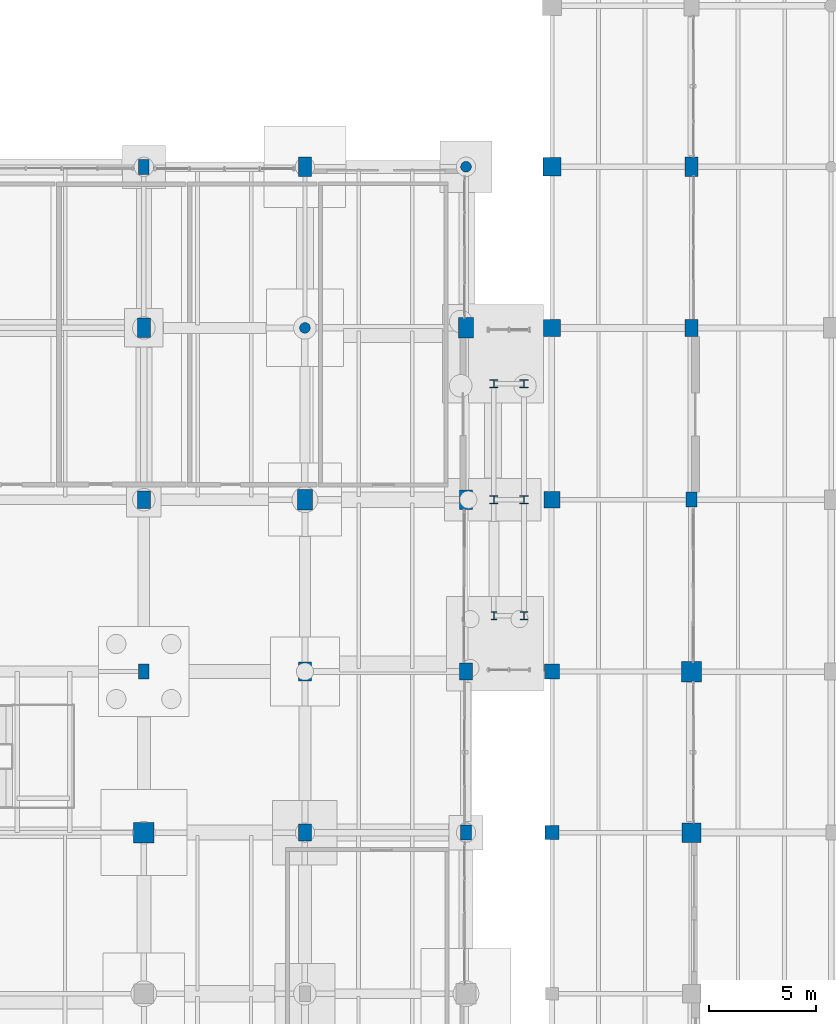
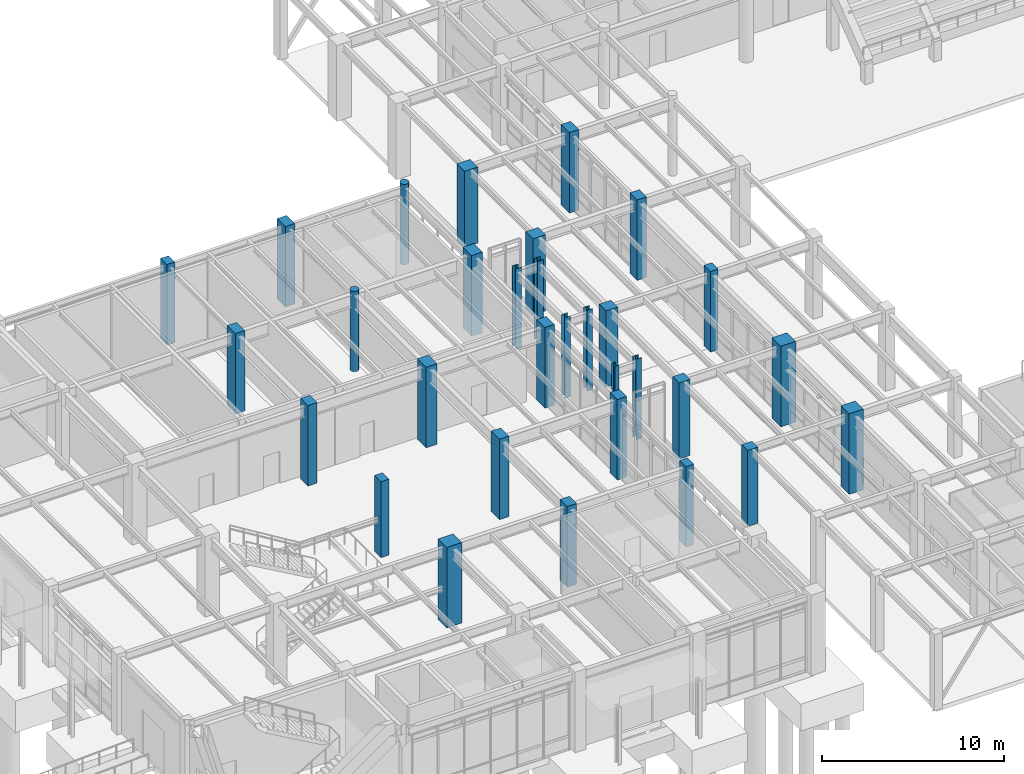
# One storey, part 10 of 203: 31 columns.
"""IFC4 building model written with IfcOpenShell, lengths in metres."""

from ifc_helpers import new_model, si_unit, direction, frame, origin, origin_2d, place, context, subcontext, project, spatial, rectangle, circle, i_section, extrude, material, material_profile, profile_set, type_object, element, save


model = new_model("IFC4")

# Units and contexts
model_context = context("Model", 3, precision=1e-05, world=origin(), true_north=direction((0.0, 1.0)))
body_context = subcontext(model_context, "Body", "Model", "MODEL_VIEW")
ifc_project = project(units=[si_unit("LENGTHUNIT", "METRE"), si_unit("AREAUNIT", "SQUARE_METRE"), si_unit("VOLUMEUNIT", "CUBIC_METRE"), si_unit("PLANEANGLEUNIT", "RADIAN"), si_unit("MASSUNIT", "GRAM", prefix="KILO"), si_unit("THERMODYNAMICTEMPERATUREUNIT", "KELVIN"), si_unit("POWERUNIT", "WATT")], contexts=[model_context])

# Site, building, storey
site_placement = place(None, origin())
site = spatial("IfcSite", under=ifc_project, at=site_placement, CompositionType="ELEMENT")
building_placement = place(site_placement, origin())
building = spatial("IfcBuilding", under=site, at=building_placement, Name="Tepalcoro Natatorium and Aquatics Centre", CompositionType="ELEMENT")
storey_placement = place(building_placement, origin())
storey = spatial("IfcBuildingStorey", under=building, at=storey_placement, Name="L00", CompositionType="ELEMENT", Elevation=0.0)

# Columns
ifc_material_1 = material(Name="Concrete C40/50 (fc 40 MPa)", Category="concrete")
ifc_material_profile_1 = material_profile(ifc_material_1, rectangle(XDim=0.5, YDim=0.699951171875, at=origin_2d()), Name="RC500x700")
ifc_profile_set_1 = profile_set([ifc_material_profile_1], Name="Concrete C40/50 (fc 40 MPa)")
column_type_1 = type_object("IfcColumnType", Name="COL_RC_500x700", PredefinedType="COLUMN", material=ifc_profile_set_1)
column_1_placement = place(storey_placement, frame((46.5, 36.0, 0.0), z_axis=(0.0, 0.0, 1.0), x_axis=(1.0, 0.0, 0.0)))
element("IfcColumn", 1, at=column_1_placement, inside=storey, type_object=column_type_1, Name="V1 L00 Grid Column (46.5, 36.0)", PredefinedType="COLUMN", context=body_context, shape_type="SweptSolid", body=[
    extrude(rectangle(XDim=0.5, YDim=0.699951171875, at=origin_2d()), origin(), (0.0, 0.0, 1.0), 5.39990234375),
])
column_2_placement = place(storey_placement, frame((21.0, 28.0, 0.0), z_axis=(0.0, 0.0, 1.0), x_axis=(1.0, 0.0, 0.0)))
element("IfcColumn", 2, at=column_2_placement, inside=storey, type_object=column_type_1, Name="V3 L00 Grid Column (21.0, 28.0)", PredefinedType="COLUMN", context=body_context, shape_type="SweptSolid", body=[
    extrude(rectangle(XDim=0.5, YDim=0.699951171875, at=origin_2d()), origin(), (0.0, 0.0, 1.0), 5.10009765625),
])
for number, where, z_axis, x_axis, name in (
    (3, (21.0, 51.5, 0.0), (0.0, 0.0, 1.0), (1.0, 0.0, 0.0), "V3 L00 Grid Column (21.0, 51.5)"),
    (4, (36.0, 20.5, 0.0), (0.0, 0.0, 1.0), (1.0, 0.0, 0.0), "V3 L00 Grid Column (36.0, 20.5)"),
):
    element("IfcColumn", number, at=place(storey_placement, frame(where, z_axis=z_axis, x_axis=x_axis)), inside=storey, type_object=column_type_1, Name=name, PredefinedType="COLUMN", context=body_context, shape_type="SweptSolid", body=[
        extrude(rectangle(XDim=0.5, YDim=0.699951171875, at=origin_2d()), origin(), (0.0, 0.0, 1.0), 5.39990234375),
    ])
ifc_material_profile_2 = material_profile(ifc_material_1, rectangle(XDim=0.60009765625, YDim=0.800048828125, at=origin_2d()), Name="RC600x800")
ifc_profile_set_2 = profile_set([ifc_material_profile_2], Name="Concrete C40/50 (fc 40 MPa)")
column_type_2 = type_object("IfcColumnType", Name="COL_RC_600x800", PredefinedType="COLUMN", material=ifc_profile_set_2)
for number, where, z_axis, x_axis, name in (
    (5, (46.5, 44.0, 0.0), (0.0, 0.0, 1.0), (1.0, 0.0, 0.0), "V1 L00 Grid Column (46.5, 44.0)"),
    (6, (21.0, 36.0, 0.0), (0.0, 0.0, 1.0), (1.0, 0.0, 0.0), "V3 L00 Grid Column (21.0, 36.0)"),
    (7, (28.5, 20.5, 0.0), (0.0, 0.0, 1.0), (1.0, 0.0, 0.0), "V3 L00 Grid Column (28.5, 20.5)"),
    (8, (36.0, 28.0, 0.0), (0.0, 0.0, 1.0), (1.0, 0.0, 0.0), "V3 L00 Grid Column (36.0, 28.0)"),
):
    element("IfcColumn", number, at=place(storey_placement, frame(where, z_axis=z_axis, x_axis=x_axis)), inside=storey, type_object=column_type_2, Name=name, PredefinedType="COLUMN", context=body_context, shape_type="SweptSolid", body=[
        extrude(rectangle(XDim=0.60009765625, YDim=0.800048828125, at=origin_2d()), origin(), (0.0, 0.0, 1.0), 5.39990234375),
    ])
ifc_material_profile_3 = material_profile(ifc_material_1, rectangle(XDim=0.60009765625, YDim=0.89990234375, at=origin_2d()), Name="RC600x900")
ifc_profile_set_3 = profile_set([ifc_material_profile_3], Name="Concrete C40/50 (fc 40 MPa)")
column_type_3 = type_object("IfcColumnType", Name="COL_RC_600x900", PredefinedType="COLUMN", material=ifc_profile_set_3)
for number, where, z_axis, x_axis, name in (
    (9, (46.5, 51.5, 0.0), (0.0, 0.0, 1.0), (1.0, 0.0, 0.0), "V1 L00 Grid Column (46.5, 51.5)"),
    (10, (21.0, 44.0, 0.0), (0.0, 0.0, 1.0), (1.0, 0.0, 0.0), "V3 L00 Grid Column (21.0, 44.0)"),
    (11, (28.5, 28.0, 0.0), (0.0, 0.0, 1.0), (1.0, 0.0, 0.0), "V3 L00 Grid Column (28.5, 28.0)"),
    (12, (28.5, 51.5, 0.0), (0.0, 0.0, 1.0), (1.0, 0.0, 0.0), "V3 L00 Grid Column (28.5, 51.5)"),
    (13, (36.0, 36.0, 0.0), (0.0, 0.0, 1.0), (1.0, 0.0, 0.0), "V3 L00 Grid Column (36.0, 36.0)"),
):
    element("IfcColumn", number, at=place(storey_placement, frame(where, z_axis=z_axis, x_axis=x_axis)), inside=storey, type_object=column_type_3, Name=name, PredefinedType="COLUMN", context=body_context, shape_type="SweptSolid", body=[
        extrude(rectangle(XDim=0.60009765625, YDim=0.89990234375, at=origin_2d()), origin(), (0.0, 0.0, 1.0), 5.39990234375),
    ])
ifc_material_profile_4 = material_profile(ifc_material_1, rectangle(XDim=0.64990234375, YDim=0.64990234375, at=origin_2d()), Name="RC650x650")
ifc_profile_set_4 = profile_set([ifc_material_profile_4], Name="Concrete C40/50 (fc 40 MPa)")
column_type_4 = type_object("IfcColumnType", Name="COL_RC_650x650", PredefinedType="COLUMN", material=ifc_profile_set_4)
column_3_placement = place(storey_placement, frame((40.0, 20.5, 0.0), z_axis=(0.0, 0.0, 1.0), x_axis=(1.0, 0.0, 0.0)))
element("IfcColumn", 14, at=column_3_placement, inside=storey, type_object=column_type_4, Name="V1 L00 Grid Column (40.0, 20.5)", PredefinedType="COLUMN", context=body_context, shape_type="SweptSolid", body=[
    extrude(rectangle(XDim=0.64990234375, YDim=0.64990234375, at=origin_2d()), origin(), (0.0, 0.0, 1.0), 5.10009765625),
])
ifc_material_profile_5 = material_profile(ifc_material_1, rectangle(XDim=0.699951171875, YDim=0.699951171875, at=origin_2d()), Name="RC700x700")
ifc_profile_set_5 = profile_set([ifc_material_profile_5], Name="Concrete C40/50 (fc 40 MPa)")
column_type_5 = type_object("IfcColumnType", Name="COL_RC_700x700", PredefinedType="COLUMN", material=ifc_profile_set_5)
column_4_placement = place(storey_placement, frame((40.0, 28.0, 0.0), z_axis=(0.0, 0.0, 1.0), x_axis=(1.0, 0.0, 0.0)))
element("IfcColumn", 15, at=column_4_placement, inside=storey, type_object=column_type_5, Name="V1 L00 Grid Column (40.0, 28.0)", PredefinedType="COLUMN", context=body_context, shape_type="SweptSolid", body=[
    extrude(rectangle(XDim=0.699951171875, YDim=0.699951171875, at=origin_2d()), origin(), (0.0, 0.0, 1.0), 5.10009765625),
])
ifc_material_profile_6 = material_profile(ifc_material_1, rectangle(XDim=0.699951171875, YDim=0.949951171875, at=origin_2d()), Name="RC700x950")
ifc_profile_set_6 = profile_set([ifc_material_profile_6], Name="Concrete C40/50 (fc 40 MPa)")
column_type_6 = type_object("IfcColumnType", Name="COL_RC_700x950", PredefinedType="COLUMN", material=ifc_profile_set_6)
for number, where, z_axis, x_axis, name in (
    (16, (28.5, 36.0, 0.0), (0.0, 0.0, 1.0), (1.0, 0.0, 0.0), "V3 L00 Grid Column (28.5, 36.0)"),
    (17, (36.0, 44.0, 0.0), (0.0, 0.0, 1.0), (1.0, 0.0, 0.0), "V3 L00 Grid Column (36.0, 44.0)"),
):
    element("IfcColumn", number, at=place(storey_placement, frame(where, z_axis=z_axis, x_axis=x_axis)), inside=storey, type_object=column_type_6, Name=name, PredefinedType="COLUMN", context=body_context, shape_type="SweptSolid", body=[
        extrude(rectangle(XDim=0.699951171875, YDim=0.949951171875, at=origin_2d()), origin(), (0.0, 0.0, 1.0), 5.39990234375),
    ])
ifc_material_profile_7 = material_profile(ifc_material_1, rectangle(XDim=0.75, YDim=0.75, at=origin_2d()), Name="RC750x750")
ifc_profile_set_7 = profile_set([ifc_material_profile_7], Name="Concrete C40/50 (fc 40 MPa)")
column_type_7 = type_object("IfcColumnType", Name="COL_RC_750x750", PredefinedType="COLUMN", material=ifc_profile_set_7)
column_5_placement = place(storey_placement, frame((40.0, 36.0, 0.0), z_axis=(0.0, 0.0, 1.0), x_axis=(1.0, 0.0, 0.0)))
element("IfcColumn", 18, at=column_5_placement, inside=storey, type_object=column_type_7, Name="V1 L00 Grid Column (40.0, 36.0)", PredefinedType="COLUMN", context=body_context, shape_type="SweptSolid", body=[
    extrude(rectangle(XDim=0.75, YDim=0.75, at=origin_2d()), origin(), (0.0, 0.0, 1.0), 5.10009765625),
])
ifc_material_profile_8 = material_profile(ifc_material_1, rectangle(XDim=0.800048828125, YDim=0.800048828125, at=origin_2d()), Name="RC800x800")
ifc_profile_set_8 = profile_set([ifc_material_profile_8], Name="Concrete C40/50 (fc 40 MPa)")
column_type_8 = type_object("IfcColumnType", Name="COL_RC_800x800", PredefinedType="COLUMN", material=ifc_profile_set_8)
column_6_placement = place(storey_placement, frame((40.0, 44.0, 0.0), z_axis=(0.0, 0.0, 1.0), x_axis=(1.0, 0.0, 0.0)))
element("IfcColumn", 19, at=column_6_placement, inside=storey, type_object=column_type_8, Name="V1 L00 Grid Column (40.0, 44.0)", PredefinedType="COLUMN", context=body_context, shape_type="SweptSolid", body=[
    extrude(rectangle(XDim=0.800048828125, YDim=0.800048828125, at=origin_2d()), origin(), (0.0, 0.0, 1.0), 5.10009765625),
])
ifc_material_profile_9 = material_profile(ifc_material_1, rectangle(XDim=0.85009765625, YDim=0.85009765625, at=origin_2d()), Name="RC850x850")
ifc_profile_set_9 = profile_set([ifc_material_profile_9], Name="Concrete C40/50 (fc 40 MPa)")
column_type_9 = type_object("IfcColumnType", Name="COL_RC_850x850", PredefinedType="COLUMN", material=ifc_profile_set_9)
column_7_placement = place(storey_placement, frame((40.0, 51.5, 0.0), z_axis=(0.0, 0.0, 1.0), x_axis=(1.0, 0.0, 0.0)))
element("IfcColumn", 20, at=column_7_placement, inside=storey, type_object=column_type_9, Name="V1 L00 Grid Column (40.0, 51.5)", PredefinedType="COLUMN", context=body_context, shape_type="SweptSolid", body=[
    extrude(rectangle(XDim=0.85009765625, YDim=0.85009765625, at=origin_2d()), origin(), (0.0, 0.0, 1.0), 5.10009765625),
])
ifc_material_profile_10 = material_profile(ifc_material_1, rectangle(XDim=0.89990234375, YDim=0.89990234375, at=origin_2d()), Name="RC900x900")
ifc_profile_set_10 = profile_set([ifc_material_profile_10], Name="Concrete C40/50 (fc 40 MPa)")
column_type_10 = type_object("IfcColumnType", Name="COL_RC_900x900", PredefinedType="COLUMN", material=ifc_profile_set_10)
column_8_placement = place(storey_placement, frame((46.5, 20.5, 0.0), z_axis=(0.0, 0.0, 1.0), x_axis=(1.0, 0.0, 0.0)))
element("IfcColumn", 21, at=column_8_placement, inside=storey, type_object=column_type_10, Name="V1 L00 Grid Column (46.5, 20.5)", PredefinedType="COLUMN", context=body_context, shape_type="SweptSolid", body=[
    extrude(rectangle(XDim=0.89990234375, YDim=0.89990234375, at=origin_2d()), origin(), (0.0, 0.0, 1.0), 5.39990234375),
])
ifc_material_profile_11 = material_profile(ifc_material_1, rectangle(XDim=0.949951171875, YDim=0.949951171875, at=origin_2d()), Name="RC950x950")
ifc_profile_set_11 = profile_set([ifc_material_profile_11], Name="Concrete C40/50 (fc 40 MPa)")
column_type_11 = type_object("IfcColumnType", Name="COL_RC_950x950", PredefinedType="COLUMN", material=ifc_profile_set_11)
for number, where, z_axis, x_axis, name in (
    (22, (46.5, 28.0, 0.0), (0.0, 0.0, 1.0), (1.0, 0.0, 0.0), "V1 L00 Grid Column (46.5, 28.0)"),
    (23, (21.0, 20.5, 0.0), (0.0, 0.0, 1.0), (1.0, 0.0, 0.0), "V3 L00 Grid Column (21.0, 20.5)"),
):
    element("IfcColumn", number, at=place(storey_placement, frame(where, z_axis=z_axis, x_axis=x_axis)), inside=storey, type_object=column_type_11, Name=name, PredefinedType="COLUMN", context=body_context, shape_type="SweptSolid", body=[
        extrude(rectangle(XDim=0.949951171875, YDim=0.949951171875, at=origin_2d()), origin(), (0.0, 0.0, 1.0), 5.39990234375),
    ])
ifc_material_profile_12 = material_profile(ifc_material_1, circle(Radius=0.25, at=origin_2d()), Name="RCD500")
ifc_profile_set_12 = profile_set([ifc_material_profile_12], Name="Concrete C40/50 (fc 40 MPa)")
column_type_12 = type_object("IfcColumnType", Name="COL_RC_D500", PredefinedType="COLUMN", material=ifc_profile_set_12)
for number, where, z_axis, x_axis, name in (
    (24, (28.5, 44.0, 0.0), (0.0, 0.0, 1.0), (1.0, 0.0, 0.0), "V3 L00 Grid Column (28.5, 44.0)"),
    (25, (36.0, 51.5, 0.0), (0.0, 0.0, 1.0), (1.0, 0.0, 0.0), "V3 L00 Grid Column (36.0, 51.5)"),
):
    element("IfcColumn", number, at=place(storey_placement, frame(where, z_axis=z_axis, x_axis=x_axis)), inside=storey, type_object=column_type_12, Name=name, PredefinedType="COLUMN", context=body_context, shape_type="SweptSolid", body=[
        extrude(circle(Radius=0.25, at=origin_2d()), origin(), (0.0, 0.0, 1.0), 5.39990234375),
    ])
ifc_material_2 = material(Name="Steel ASTM A992 Grade 50 (Fy 345 MPa)", Category="steel")
ifc_material_profile_13 = material_profile(ifc_material_2, i_section(OverallWidth=0.373046875, OverallDepth=0.367919921875, WebThickness=0.014892578125, FlangeThickness=0.02392578125, FilletRadius=0.013916015625, at=origin_2d()), Name="W14X120")
ifc_profile_set_13 = profile_set([ifc_material_profile_13], Name="Steel ASTM A992 Grade 50 (Fy 345 MPa)")
column_type_13 = type_object("IfcColumnType", Name="COL_W14x120", PredefinedType="COLUMN", material=ifc_profile_set_13)
for number, where, z_axis, x_axis, name in (
    (26, (37.300048828125, 41.39990234375, 0.0), (0.0, 0.0, 1.0), (1.0, 0.0, 0.0), "West Foyer Seismic Link Column L00"),
    (27, (38.699951171875, 36.0, 0.0), (0.0, 0.0, 1.0), (1.0, 0.0, 0.0), "West Foyer Seismic Link Column L00"),
):
    element("IfcColumn", number, at=place(storey_placement, frame(where, z_axis=z_axis, x_axis=x_axis)), inside=storey, type_object=column_type_13, Name=name, PredefinedType="COLUMN", context=body_context, shape_type="SweptSolid", body=[
        extrude(i_section(OverallWidth=0.373046875, OverallDepth=0.367919921875, WebThickness=0.014892578125, FlangeThickness=0.02392578125, FilletRadius=0.013916015625, at=origin_2d()), origin(), (0.0, 0.0, 1.0), 5.39990234375),
    ])
ifc_material_profile_14 = material_profile(ifc_material_2, i_section(OverallWidth=0.39404296875, OverallDepth=0.3759765625, WebThickness=0.01708984375, FlangeThickness=0.028076171875, FilletRadius=0.013916015625, at=origin_2d()), Name="W14X145")
ifc_profile_set_14 = profile_set([ifc_material_profile_14], Name="Steel ASTM A992 Grade 50 (Fy 345 MPa)")
column_type_14 = type_object("IfcColumnType", Name="COL_W14x145", PredefinedType="COLUMN", material=ifc_profile_set_14)
column_9_placement = place(storey_placement, frame((38.699951171875, 41.39990234375, 0.0), z_axis=(0.0, 0.0, 1.0), x_axis=(1.0, 0.0, 0.0)))
element("IfcColumn", 28, at=column_9_placement, inside=storey, type_object=column_type_14, Name="West Foyer Seismic Link Column L00", PredefinedType="COLUMN", context=body_context, shape_type="SweptSolid", body=[
    extrude(i_section(OverallWidth=0.39404296875, OverallDepth=0.3759765625, WebThickness=0.01708984375, FlangeThickness=0.028076171875, FilletRadius=0.013916015625, at=origin_2d()), origin(), (0.0, 0.0, 1.0), 5.39990234375),
])
ifc_material_profile_15 = material_profile(ifc_material_2, i_section(OverallWidth=0.25390625, OverallDepth=0.35595703125, WebThickness=0.010986328125, FlangeThickness=0.01806640625, FilletRadius=0.013916015625, at=origin_2d()), Name="W14X68")
ifc_profile_set_15 = profile_set([ifc_material_profile_15], Name="Steel ASTM A992 Grade 50 (Fy 345 MPa)")
column_type_15 = type_object("IfcColumnType", Name="COL_W14x68", PredefinedType="COLUMN", material=ifc_profile_set_15)
column_10_placement = place(storey_placement, frame((37.300048828125, 30.60009765625, 0.0), z_axis=(0.0, 0.0, 1.0), x_axis=(1.0, 0.0, 0.0)))
element("IfcColumn", 29, at=column_10_placement, inside=storey, type_object=column_type_15, Name="West Foyer Seismic Link Column L00", PredefinedType="COLUMN", context=body_context, shape_type="SweptSolid", body=[
    extrude(i_section(OverallWidth=0.25390625, OverallDepth=0.35595703125, WebThickness=0.010986328125, FlangeThickness=0.01806640625, FilletRadius=0.013916015625, at=origin_2d()), origin(), (0.0, 0.0, 1.0), 5.39990234375),
])
ifc_material_profile_16 = material_profile(ifc_material_2, i_section(OverallWidth=0.367919921875, OverallDepth=0.35595703125, WebThickness=0.010986328125, FlangeThickness=0.01806640625, FilletRadius=0.013916015625, at=origin_2d()), Name="W14X90")
ifc_profile_set_16 = profile_set([ifc_material_profile_16], Name="Steel ASTM A992 Grade 50 (Fy 345 MPa)")
column_type_16 = type_object("IfcColumnType", Name="COL_W14x90", PredefinedType="COLUMN", material=ifc_profile_set_16)
for number, where, z_axis, x_axis, name in (
    (30, (37.300048828125, 36.0, 0.0), (0.0, 0.0, 1.0), (1.0, 0.0, 0.0), "West Foyer Seismic Link Column L00"),
    (31, (38.699951171875, 30.60009765625, 0.0), (0.0, 0.0, 1.0), (1.0, 0.0, 0.0), "West Foyer Seismic Link Column L00"),
):
    element("IfcColumn", number, at=place(storey_placement, frame(where, z_axis=z_axis, x_axis=x_axis)), inside=storey, type_object=column_type_16, Name=name, PredefinedType="COLUMN", context=body_context, shape_type="SweptSolid", body=[
        extrude(i_section(OverallWidth=0.367919921875, OverallDepth=0.35595703125, WebThickness=0.010986328125, FlangeThickness=0.01806640625, FilletRadius=0.013916015625, at=origin_2d()), origin(), (0.0, 0.0, 1.0), 5.39990234375),
    ])

save(model, "model.ifc")
